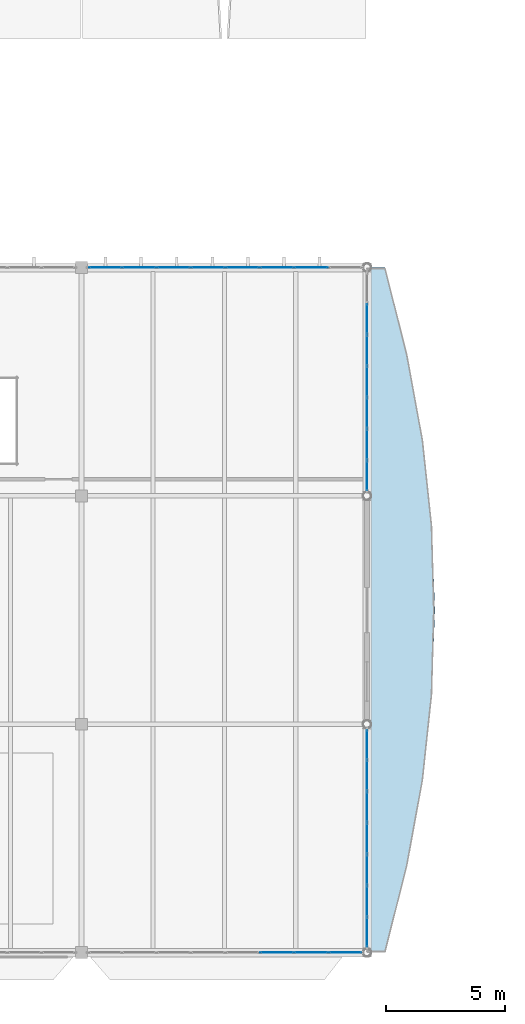
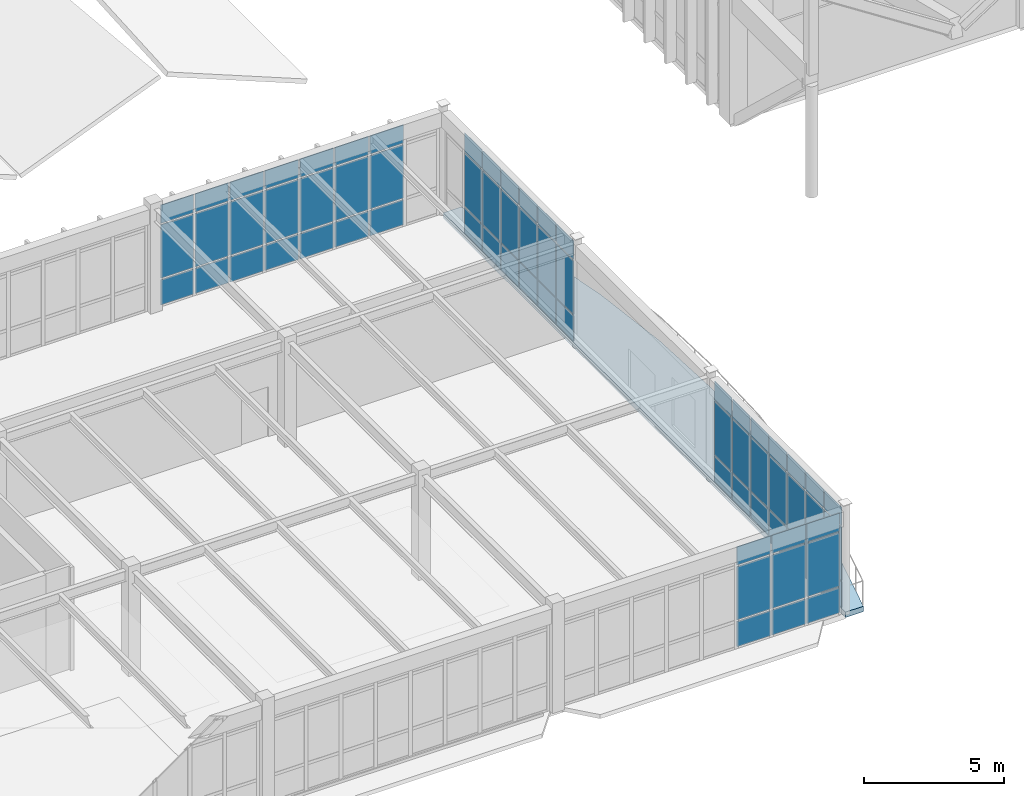
# One storey, part 188 of 236: 69 plates, 1 slab, 4 elements without a shape of their own.
"""IFC4 building model written with IfcOpenShell, lengths in metres."""

from ifc_helpers import new_model, si_unit, direction, frame, origin, origin_2d, place, context, subcontext, project, spatial, polyline, rectangle, outline, extrude, material, layer, layer_set, type_object, element, aggregate, save


model = new_model("IFC4")

# Units and contexts
model_context = context("Model", 3, precision=1e-05, world=origin(), true_north=direction((0.0, 1.0)))
body_context = subcontext(model_context, "Body", "Model", "MODEL_VIEW")
ifc_project = project(units=[si_unit("LENGTHUNIT", "METRE"), si_unit("AREAUNIT", "SQUARE_METRE"), si_unit("VOLUMEUNIT", "CUBIC_METRE"), si_unit("PLANEANGLEUNIT", "RADIAN"), si_unit("MASSUNIT", "GRAM", prefix="KILO")], contexts=[model_context])

# Site, building, storey
site_placement = place(None, origin())
site = spatial("IfcSite", under=ifc_project, at=site_placement, CompositionType="ELEMENT")
building_placement = place(site_placement, origin())
building = spatial("IfcBuilding", under=site, at=building_placement, Name="Pandanus Reach Market Hall", CompositionType="ELEMENT")
storey_placement = place(building_placement, frame((0.0, 0.0, 5.39990234375)))
storey = spatial("IfcBuildingStorey", under=building, at=storey_placement, Name="L01", CompositionType="ELEMENT", Elevation=5.39990234375)

# Curtain wall, plates
ifc_material_1 = material(Name="Bronze anodised aluminium and low-E glass", Category="aluminium")
ifc_layer_1 = layer(ifc_material_1, 0.159912109375, Name="CW-16")
ifc_layer_set_1 = layer_set([ifc_layer_1], Name="Bronze anodised aluminium and low-E glass")
curtain_wall_type_1 = type_object("IfcCurtainWallType", Name="CW-16", PredefinedType="NOTDEFINED", material=ifc_layer_set_1)
curtain_wall_1_placement = place(storey_placement, origin())
curtain_wall_1 = element("IfcCurtainWall", 1, at=curtain_wall_1_placement, inside=storey, type_object=curtain_wall_type_1, Name="Glazed curtain wall CW-16 CW-0056", PredefinedType="NOTDEFINED")
ifc_material_2 = material(Name="Solar-control double glazing", Category="glass")
ifc_layer_2 = layer(ifc_material_2, 0.028076171875, Name="CW-P1")
ifc_layer_set_2 = layer_set([ifc_layer_2], Name="Solar-control double glazing")
plate_type = type_object("IfcPlateType", Name="CW-P1", PredefinedType="CURTAIN_PANEL", material=ifc_layer_set_2)
plate_1_placement = place(storey_placement, frame((32.205810546875, 0.0, 0.065185546875), z_axis=(0.0, 0.0, 1.0), x_axis=(1.0, 0.0, 0.0)))
plate_1 = element("IfcPlate", 2, at=plate_1_placement, type_object=plate_type, Name="CW-16 panel 6.1", PredefinedType="CURTAIN_PANEL", context=body_context, shape_type="SweptSolid", body=[
    extrude(rectangle(XDim=1.381591796875, YDim=0.028076171875, at=origin_2d()), origin(), (0.0, 0.0, 1.0), 1.1025390625),
])
plate_2_placement = place(storey_placement, frame((32.205810546875, 0.0, 1.232666015625), z_axis=(0.0, 0.0, 1.0), x_axis=(1.0, 0.0, 0.0)))
plate_2 = element("IfcPlate", 3, at=plate_2_placement, type_object=plate_type, Name="CW-16 panel 6.2", PredefinedType="CURTAIN_PANEL", context=body_context, shape_type="SweptSolid", body=[
    extrude(rectangle(XDim=1.381591796875, YDim=0.028076171875, at=origin_2d()), origin(), (0.0, 0.0, 1.0), 2.3349609375),
])
plate_3_placement = place(storey_placement, frame((32.205810546875, 0.0, 3.6328125), z_axis=(0.0, 0.0, 1.0), x_axis=(1.0, 0.0, 0.0)))
plate_3 = element("IfcPlate", 4, at=plate_3_placement, type_object=plate_type, Name="CW-16 panel 6.3", PredefinedType="CURTAIN_PANEL", context=body_context, shape_type="SweptSolid", body=[
    extrude(rectangle(XDim=1.381591796875, YDim=0.028076171875, at=origin_2d()), origin(), (0.0, 0.0, 1.0), 0.802490234375),
])
plate_4_placement = place(storey_placement, frame((33.65234375, 0.0, 0.065185546875), z_axis=(0.0, 0.0, 1.0), x_axis=(1.0, 0.0, 0.0)))
plate_4 = element("IfcPlate", 5, at=plate_4_placement, type_object=plate_type, Name="CW-16 panel 7.1", PredefinedType="CURTAIN_PANEL", context=body_context, shape_type="SweptSolid", body=[
    extrude(rectangle(XDim=1.381591796875, YDim=0.028076171875, at=origin_2d()), origin(), (0.0, 0.0, 1.0), 1.1025390625),
])
plate_5_placement = place(storey_placement, frame((33.65234375, 0.0, 1.232666015625), z_axis=(0.0, 0.0, 1.0), x_axis=(1.0, 0.0, 0.0)))
plate_5 = element("IfcPlate", 6, at=plate_5_placement, type_object=plate_type, Name="CW-16 panel 7.2", PredefinedType="CURTAIN_PANEL", context=body_context, shape_type="SweptSolid", body=[
    extrude(rectangle(XDim=1.381591796875, YDim=0.028076171875, at=origin_2d()), origin(), (0.0, 0.0, 1.0), 2.3349609375),
])
plate_6_placement = place(storey_placement, frame((33.65234375, 0.0, 3.6328125), z_axis=(0.0, 0.0, 1.0), x_axis=(1.0, 0.0, 0.0)))
plate_6 = element("IfcPlate", 7, at=plate_6_placement, type_object=plate_type, Name="CW-16 panel 7.3", PredefinedType="CURTAIN_PANEL", context=body_context, shape_type="SweptSolid", body=[
    extrude(rectangle(XDim=1.381591796875, YDim=0.028076171875, at=origin_2d()), origin(), (0.0, 0.0, 1.0), 0.802490234375),
])
plate_7_placement = place(storey_placement, frame((35.082763671875, 0.0, 0.065185546875), z_axis=(0.0, 0.0, 1.0), x_axis=(1.0, 0.0, 0.0)))
plate_7 = element("IfcPlate", 8, at=plate_7_placement, type_object=plate_type, Name="CW-16 panel 8.1", PredefinedType="CURTAIN_PANEL", context=body_context, shape_type="SweptSolid", body=[
    extrude(rectangle(XDim=1.34912109375, YDim=0.028076171875, at=origin_2d()), origin(), (0.0, 0.0, 1.0), 1.1025390625),
])
plate_8_placement = place(storey_placement, frame((35.082763671875, 0.0, 1.232666015625), z_axis=(0.0, 0.0, 1.0), x_axis=(1.0, 0.0, 0.0)))
plate_8 = element("IfcPlate", 9, at=plate_8_placement, type_object=plate_type, Name="CW-16 panel 8.2", PredefinedType="CURTAIN_PANEL", context=body_context, shape_type="SweptSolid", body=[
    extrude(rectangle(XDim=1.34912109375, YDim=0.028076171875, at=origin_2d()), origin(), (0.0, 0.0, 1.0), 2.3349609375),
])
plate_9_placement = place(storey_placement, frame((35.082763671875, 0.0, 3.6328125), z_axis=(0.0, 0.0, 1.0), x_axis=(1.0, 0.0, 0.0)))
plate_9 = element("IfcPlate", 10, at=plate_9_placement, type_object=plate_type, Name="CW-16 panel 8.3", PredefinedType="CURTAIN_PANEL", context=body_context, shape_type="SweptSolid", body=[
    extrude(rectangle(XDim=1.34912109375, YDim=0.028076171875, at=origin_2d()), origin(), (0.0, 0.0, 1.0), 0.802490234375),
])
aggregate(curtain_wall_1, [plate_1, plate_2, plate_3, plate_4, plate_5, plate_6, plate_7, plate_8, plate_9])

ifc_layer_3 = layer(ifc_material_1, 0.159912109375, Name="CW-18")
ifc_layer_set_3 = layer_set([ifc_layer_3], Name="Bronze anodised aluminium and low-E glass")
curtain_wall_type_2 = type_object("IfcCurtainWallType", Name="CW-18", PredefinedType="NOTDEFINED", material=ifc_layer_set_3)
curtain_wall_2_placement = place(storey_placement, origin())
curtain_wall_2 = element("IfcCurtainWall", 11, at=curtain_wall_2_placement, inside=storey, type_object=curtain_wall_type_2, Name="Glazed curtain wall CW-18 CW-0059", PredefinedType="NOTDEFINED")
plate_10_placement = place(storey_placement, frame((24.989501953125, 28.800048828125, 0.065185546875), z_axis=(0.0, 0.0, 1.0), x_axis=(1.0, 0.0, 0.0)))
plate_10 = element("IfcPlate", 12, at=plate_10_placement, type_object=plate_type, Name="CW-18 panel 1.1", PredefinedType="CURTAIN_PANEL", context=body_context, shape_type="SweptSolid", body=[
    extrude(rectangle(XDim=1.34912109375, YDim=0.028076171875, at=origin_2d()), origin(), (0.0, 0.0, 1.0), 1.1025390625),
])
plate_11_placement = place(storey_placement, frame((24.989501953125, 28.800048828125, 1.232666015625), z_axis=(0.0, 0.0, 1.0), x_axis=(1.0, 0.0, 0.0)))
plate_11 = element("IfcPlate", 13, at=plate_11_placement, type_object=plate_type, Name="CW-18 panel 1.2", PredefinedType="CURTAIN_PANEL", context=body_context, shape_type="SweptSolid", body=[
    extrude(rectangle(XDim=1.34912109375, YDim=0.028076171875, at=origin_2d()), origin(), (0.0, 0.0, 1.0), 2.3349609375),
])
plate_12_placement = place(storey_placement, frame((24.989501953125, 28.800048828125, 3.6328125), z_axis=(0.0, 0.0, 1.0), x_axis=(1.0, 0.0, 0.0)))
plate_12 = element("IfcPlate", 14, at=plate_12_placement, type_object=plate_type, Name="CW-18 panel 1.3", PredefinedType="CURTAIN_PANEL", context=body_context, shape_type="SweptSolid", body=[
    extrude(rectangle(XDim=1.34912109375, YDim=0.028076171875, at=origin_2d()), origin(), (0.0, 0.0, 1.0), 0.802490234375),
])
plate_13_placement = place(storey_placement, frame((26.419677734375, 28.800048828125, 0.065185546875), z_axis=(0.0, 0.0, 1.0), x_axis=(1.0, 0.0, 0.0)))
plate_13 = element("IfcPlate", 15, at=plate_13_placement, type_object=plate_type, Name="CW-18 panel 2.1", PredefinedType="CURTAIN_PANEL", context=body_context, shape_type="SweptSolid", body=[
    extrude(rectangle(XDim=1.381591796875, YDim=0.028076171875, at=origin_2d()), origin(), (0.0, 0.0, 1.0), 1.1025390625),
])
plate_14_placement = place(storey_placement, frame((26.419677734375, 28.800048828125, 1.232666015625), z_axis=(0.0, 0.0, 1.0), x_axis=(1.0, 0.0, 0.0)))
plate_14 = element("IfcPlate", 16, at=plate_14_placement, type_object=plate_type, Name="CW-18 panel 2.2", PredefinedType="CURTAIN_PANEL", context=body_context, shape_type="SweptSolid", body=[
    extrude(rectangle(XDim=1.381591796875, YDim=0.028076171875, at=origin_2d()), origin(), (0.0, 0.0, 1.0), 2.3349609375),
])
plate_15_placement = place(storey_placement, frame((26.419677734375, 28.800048828125, 3.6328125), z_axis=(0.0, 0.0, 1.0), x_axis=(1.0, 0.0, 0.0)))
plate_15 = element("IfcPlate", 17, at=plate_15_placement, type_object=plate_type, Name="CW-18 panel 2.3", PredefinedType="CURTAIN_PANEL", context=body_context, shape_type="SweptSolid", body=[
    extrude(rectangle(XDim=1.381591796875, YDim=0.028076171875, at=origin_2d()), origin(), (0.0, 0.0, 1.0), 0.802490234375),
])
plate_16_placement = place(storey_placement, frame((27.8662109375, 28.800048828125, 0.065185546875), z_axis=(0.0, 0.0, 1.0), x_axis=(1.0, 0.0, 0.0)))
plate_16 = element("IfcPlate", 18, at=plate_16_placement, type_object=plate_type, Name="CW-18 panel 3.1", PredefinedType="CURTAIN_PANEL", context=body_context, shape_type="SweptSolid", body=[
    extrude(rectangle(XDim=1.381591796875, YDim=0.028076171875, at=origin_2d()), origin(), (0.0, 0.0, 1.0), 1.1025390625),
])
plate_17_placement = place(storey_placement, frame((27.8662109375, 28.800048828125, 1.232666015625), z_axis=(0.0, 0.0, 1.0), x_axis=(1.0, 0.0, 0.0)))
plate_17 = element("IfcPlate", 19, at=plate_17_placement, type_object=plate_type, Name="CW-18 panel 3.2", PredefinedType="CURTAIN_PANEL", context=body_context, shape_type="SweptSolid", body=[
    extrude(rectangle(XDim=1.381591796875, YDim=0.028076171875, at=origin_2d()), origin(), (0.0, 0.0, 1.0), 2.3349609375),
])
plate_18_placement = place(storey_placement, frame((27.8662109375, 28.800048828125, 3.6328125), z_axis=(0.0, 0.0, 1.0), x_axis=(1.0, 0.0, 0.0)))
plate_18 = element("IfcPlate", 20, at=plate_18_placement, type_object=plate_type, Name="CW-18 panel 3.3", PredefinedType="CURTAIN_PANEL", context=body_context, shape_type="SweptSolid", body=[
    extrude(rectangle(XDim=1.381591796875, YDim=0.028076171875, at=origin_2d()), origin(), (0.0, 0.0, 1.0), 0.802490234375),
])
plate_19_placement = place(storey_placement, frame((29.312744140625, 28.800048828125, 0.065185546875), z_axis=(0.0, 0.0, 1.0), x_axis=(1.0, 0.0, 0.0)))
plate_19 = element("IfcPlate", 21, at=plate_19_placement, type_object=plate_type, Name="CW-18 panel 4.1", PredefinedType="CURTAIN_PANEL", context=body_context, shape_type="SweptSolid", body=[
    extrude(rectangle(XDim=1.381591796875, YDim=0.028076171875, at=origin_2d()), origin(), (0.0, 0.0, 1.0), 1.1025390625),
])
plate_20_placement = place(storey_placement, frame((29.312744140625, 28.800048828125, 1.232666015625), z_axis=(0.0, 0.0, 1.0), x_axis=(1.0, 0.0, 0.0)))
plate_20 = element("IfcPlate", 22, at=plate_20_placement, type_object=plate_type, Name="CW-18 panel 4.2", PredefinedType="CURTAIN_PANEL", context=body_context, shape_type="SweptSolid", body=[
    extrude(rectangle(XDim=1.381591796875, YDim=0.028076171875, at=origin_2d()), origin(), (0.0, 0.0, 1.0), 2.3349609375),
])
plate_21_placement = place(storey_placement, frame((29.312744140625, 28.800048828125, 3.6328125), z_axis=(0.0, 0.0, 1.0), x_axis=(1.0, 0.0, 0.0)))
plate_21 = element("IfcPlate", 23, at=plate_21_placement, type_object=plate_type, Name="CW-18 panel 4.3", PredefinedType="CURTAIN_PANEL", context=body_context, shape_type="SweptSolid", body=[
    extrude(rectangle(XDim=1.381591796875, YDim=0.028076171875, at=origin_2d()), origin(), (0.0, 0.0, 1.0), 0.802490234375),
])
plate_22_placement = place(storey_placement, frame((30.75927734375, 28.800048828125, 0.065185546875), z_axis=(0.0, 0.0, 1.0), x_axis=(1.0, 0.0, 0.0)))
plate_22 = element("IfcPlate", 24, at=plate_22_placement, type_object=plate_type, Name="CW-18 panel 5.1", PredefinedType="CURTAIN_PANEL", context=body_context, shape_type="SweptSolid", body=[
    extrude(rectangle(XDim=1.381591796875, YDim=0.028076171875, at=origin_2d()), origin(), (0.0, 0.0, 1.0), 1.1025390625),
])
plate_23_placement = place(storey_placement, frame((30.75927734375, 28.800048828125, 1.232666015625), z_axis=(0.0, 0.0, 1.0), x_axis=(1.0, 0.0, 0.0)))
plate_23 = element("IfcPlate", 25, at=plate_23_placement, type_object=plate_type, Name="CW-18 panel 5.2", PredefinedType="CURTAIN_PANEL", context=body_context, shape_type="SweptSolid", body=[
    extrude(rectangle(XDim=1.381591796875, YDim=0.028076171875, at=origin_2d()), origin(), (0.0, 0.0, 1.0), 2.3349609375),
])
plate_24_placement = place(storey_placement, frame((30.75927734375, 28.800048828125, 3.6328125), z_axis=(0.0, 0.0, 1.0), x_axis=(1.0, 0.0, 0.0)))
plate_24 = element("IfcPlate", 26, at=plate_24_placement, type_object=plate_type, Name="CW-18 panel 5.3", PredefinedType="CURTAIN_PANEL", context=body_context, shape_type="SweptSolid", body=[
    extrude(rectangle(XDim=1.381591796875, YDim=0.028076171875, at=origin_2d()), origin(), (0.0, 0.0, 1.0), 0.802490234375),
])
plate_25_placement = place(storey_placement, frame((32.205810546875, 28.800048828125, 0.065185546875), z_axis=(0.0, 0.0, 1.0), x_axis=(1.0, 0.0, 0.0)))
plate_25 = element("IfcPlate", 27, at=plate_25_placement, type_object=plate_type, Name="CW-18 panel 6.1", PredefinedType="CURTAIN_PANEL", context=body_context, shape_type="SweptSolid", body=[
    extrude(rectangle(XDim=1.381591796875, YDim=0.028076171875, at=origin_2d()), origin(), (0.0, 0.0, 1.0), 1.1025390625),
])
plate_26_placement = place(storey_placement, frame((32.205810546875, 28.800048828125, 1.232666015625), z_axis=(0.0, 0.0, 1.0), x_axis=(1.0, 0.0, 0.0)))
plate_26 = element("IfcPlate", 28, at=plate_26_placement, type_object=plate_type, Name="CW-18 panel 6.2", PredefinedType="CURTAIN_PANEL", context=body_context, shape_type="SweptSolid", body=[
    extrude(rectangle(XDim=1.381591796875, YDim=0.028076171875, at=origin_2d()), origin(), (0.0, 0.0, 1.0), 2.3349609375),
])
plate_27_placement = place(storey_placement, frame((32.205810546875, 28.800048828125, 3.6328125), z_axis=(0.0, 0.0, 1.0), x_axis=(1.0, 0.0, 0.0)))
plate_27 = element("IfcPlate", 29, at=plate_27_placement, type_object=plate_type, Name="CW-18 panel 6.3", PredefinedType="CURTAIN_PANEL", context=body_context, shape_type="SweptSolid", body=[
    extrude(rectangle(XDim=1.381591796875, YDim=0.028076171875, at=origin_2d()), origin(), (0.0, 0.0, 1.0), 0.802490234375),
])
plate_28_placement = place(storey_placement, frame((33.65234375, 28.800048828125, 0.065185546875), z_axis=(0.0, 0.0, 1.0), x_axis=(1.0, 0.0, 0.0)))
plate_28 = element("IfcPlate", 30, at=plate_28_placement, type_object=plate_type, Name="CW-18 panel 7.1", PredefinedType="CURTAIN_PANEL", context=body_context, shape_type="SweptSolid", body=[
    extrude(rectangle(XDim=1.381591796875, YDim=0.028076171875, at=origin_2d()), origin(), (0.0, 0.0, 1.0), 1.1025390625),
])
plate_29_placement = place(storey_placement, frame((33.65234375, 28.800048828125, 1.232666015625), z_axis=(0.0, 0.0, 1.0), x_axis=(1.0, 0.0, 0.0)))
plate_29 = element("IfcPlate", 31, at=plate_29_placement, type_object=plate_type, Name="CW-18 panel 7.2", PredefinedType="CURTAIN_PANEL", context=body_context, shape_type="SweptSolid", body=[
    extrude(rectangle(XDim=1.381591796875, YDim=0.028076171875, at=origin_2d()), origin(), (0.0, 0.0, 1.0), 2.3349609375),
])
plate_30_placement = place(storey_placement, frame((33.65234375, 28.800048828125, 3.6328125), z_axis=(0.0, 0.0, 1.0), x_axis=(1.0, 0.0, 0.0)))
plate_30 = element("IfcPlate", 32, at=plate_30_placement, type_object=plate_type, Name="CW-18 panel 7.3", PredefinedType="CURTAIN_PANEL", context=body_context, shape_type="SweptSolid", body=[
    extrude(rectangle(XDim=1.381591796875, YDim=0.028076171875, at=origin_2d()), origin(), (0.0, 0.0, 1.0), 0.802490234375),
])
aggregate(curtain_wall_2, [plate_10, plate_11, plate_12, plate_13, plate_14, plate_15, plate_16, plate_17, plate_18, plate_19, plate_20, plate_21, plate_22, plate_23, plate_24, plate_25, plate_26, plate_27, plate_28, plate_29, plate_30])

ifc_layer_4 = layer(ifc_material_1, 0.159912109375, Name="CW-20")
ifc_layer_set_4 = layer_set([ifc_layer_4], Name="Bronze anodised aluminium and low-E glass")
curtain_wall_type_3 = type_object("IfcCurtainWallType", Name="CW-20", PredefinedType="NOTDEFINED", material=ifc_layer_set_4)
curtain_wall_3_placement = place(storey_placement, origin())
curtain_wall_3 = element("IfcCurtainWall", 33, at=curtain_wall_3_placement, inside=storey, type_object=curtain_wall_type_3, Name="Glazed curtain wall CW-20 CW-0061", PredefinedType="NOTDEFINED")
plate_31_placement = place(storey_placement, frame((36.0, 0.854248046875, 0.065185546875), z_axis=(0.0, 0.0, 1.0), x_axis=(0.0, 1.0, 0.0)))
plate_31 = element("IfcPlate", 34, at=plate_31_placement, type_object=plate_type, Name="CW-20 panel 1.1", PredefinedType="CURTAIN_PANEL", context=body_context, shape_type="SweptSolid", body=[
    extrude(rectangle(XDim=1.22314453125, YDim=0.028076171875, at=origin_2d()), origin(), (0.0, 0.0, 1.0), 1.1025390625),
])
plate_32_placement = place(storey_placement, frame((36.0, 0.854248046875, 1.232666015625), z_axis=(0.0, 0.0, 1.0), x_axis=(0.0, 1.0, 0.0)))
plate_32 = element("IfcPlate", 35, at=plate_32_placement, type_object=plate_type, Name="CW-20 panel 1.2", PredefinedType="CURTAIN_PANEL", context=body_context, shape_type="SweptSolid", body=[
    extrude(rectangle(XDim=1.22314453125, YDim=0.028076171875, at=origin_2d()), origin(), (0.0, 0.0, 1.0), 2.3349609375),
])
plate_33_placement = place(storey_placement, frame((36.0, 0.854248046875, 3.6328125), z_axis=(0.0, 0.0, 1.0), x_axis=(0.0, 1.0, 0.0)))
plate_33 = element("IfcPlate", 36, at=plate_33_placement, type_object=plate_type, Name="CW-20 panel 1.3", PredefinedType="CURTAIN_PANEL", context=body_context, shape_type="SweptSolid", body=[
    extrude(rectangle(XDim=1.22314453125, YDim=0.028076171875, at=origin_2d()), origin(), (0.0, 0.0, 1.0), 0.802490234375),
])
plate_34_placement = place(storey_placement, frame((36.0, 2.15869140625, 0.065185546875), z_axis=(0.0, 0.0, 1.0), x_axis=(0.0, 1.0, 0.0)))
plate_34 = element("IfcPlate", 37, at=plate_34_placement, type_object=plate_type, Name="CW-20 panel 2.1", PredefinedType="CURTAIN_PANEL", context=body_context, shape_type="SweptSolid", body=[
    extrude(rectangle(XDim=1.255615234375, YDim=0.028076171875, at=origin_2d()), origin(), (0.0, 0.0, 1.0), 1.1025390625),
])
plate_35_placement = place(storey_placement, frame((36.0, 2.15869140625, 1.232666015625), z_axis=(0.0, 0.0, 1.0), x_axis=(0.0, 1.0, 0.0)))
plate_35 = element("IfcPlate", 38, at=plate_35_placement, type_object=plate_type, Name="CW-20 panel 2.2", PredefinedType="CURTAIN_PANEL", context=body_context, shape_type="SweptSolid", body=[
    extrude(rectangle(XDim=1.255615234375, YDim=0.028076171875, at=origin_2d()), origin(), (0.0, 0.0, 1.0), 2.3349609375),
])
plate_36_placement = place(storey_placement, frame((36.0, 2.15869140625, 3.6328125), z_axis=(0.0, 0.0, 1.0), x_axis=(0.0, 1.0, 0.0)))
plate_36 = element("IfcPlate", 39, at=plate_36_placement, type_object=plate_type, Name="CW-20 panel 2.3", PredefinedType="CURTAIN_PANEL", context=body_context, shape_type="SweptSolid", body=[
    extrude(rectangle(XDim=1.255615234375, YDim=0.028076171875, at=origin_2d()), origin(), (0.0, 0.0, 1.0), 0.802490234375),
])
plate_37_placement = place(storey_placement, frame((36.0, 3.4794921875, 0.065185546875), z_axis=(0.0, 0.0, 1.0), x_axis=(0.0, 1.0, 0.0)))
plate_37 = element("IfcPlate", 40, at=plate_37_placement, type_object=plate_type, Name="CW-20 panel 3.1", PredefinedType="CURTAIN_PANEL", context=body_context, shape_type="SweptSolid", body=[
    extrude(rectangle(XDim=1.255615234375, YDim=0.028076171875, at=origin_2d()), origin(), (0.0, 0.0, 1.0), 1.1025390625),
])
plate_38_placement = place(storey_placement, frame((36.0, 3.4794921875, 1.232666015625), z_axis=(0.0, 0.0, 1.0), x_axis=(0.0, 1.0, 0.0)))
plate_38 = element("IfcPlate", 41, at=plate_38_placement, type_object=plate_type, Name="CW-20 panel 3.2", PredefinedType="CURTAIN_PANEL", context=body_context, shape_type="SweptSolid", body=[
    extrude(rectangle(XDim=1.255615234375, YDim=0.028076171875, at=origin_2d()), origin(), (0.0, 0.0, 1.0), 2.3349609375),
])
plate_39_placement = place(storey_placement, frame((36.0, 3.4794921875, 3.6328125), z_axis=(0.0, 0.0, 1.0), x_axis=(0.0, 1.0, 0.0)))
plate_39 = element("IfcPlate", 42, at=plate_39_placement, type_object=plate_type, Name="CW-20 panel 3.3", PredefinedType="CURTAIN_PANEL", context=body_context, shape_type="SweptSolid", body=[
    extrude(rectangle(XDim=1.255615234375, YDim=0.028076171875, at=origin_2d()), origin(), (0.0, 0.0, 1.0), 0.802490234375),
])
plate_40_placement = place(storey_placement, frame((36.0, 4.800048828125, 0.065185546875), z_axis=(0.0, 0.0, 1.0), x_axis=(0.0, 1.0, 0.0)))
plate_40 = element("IfcPlate", 43, at=plate_40_placement, type_object=plate_type, Name="CW-20 panel 4.1", PredefinedType="CURTAIN_PANEL", context=body_context, shape_type="SweptSolid", body=[
    extrude(rectangle(XDim=1.255615234375, YDim=0.028076171875, at=origin_2d()), origin(), (0.0, 0.0, 1.0), 1.1025390625),
])
plate_41_placement = place(storey_placement, frame((36.0, 4.800048828125, 1.232666015625), z_axis=(0.0, 0.0, 1.0), x_axis=(0.0, 1.0, 0.0)))
plate_41 = element("IfcPlate", 44, at=plate_41_placement, type_object=plate_type, Name="CW-20 panel 4.2", PredefinedType="CURTAIN_PANEL", context=body_context, shape_type="SweptSolid", body=[
    extrude(rectangle(XDim=1.255615234375, YDim=0.028076171875, at=origin_2d()), origin(), (0.0, 0.0, 1.0), 2.3349609375),
])
plate_42_placement = place(storey_placement, frame((36.0, 4.800048828125, 3.6328125), z_axis=(0.0, 0.0, 1.0), x_axis=(0.0, 1.0, 0.0)))
plate_42 = element("IfcPlate", 45, at=plate_42_placement, type_object=plate_type, Name="CW-20 panel 4.3", PredefinedType="CURTAIN_PANEL", context=body_context, shape_type="SweptSolid", body=[
    extrude(rectangle(XDim=1.255615234375, YDim=0.028076171875, at=origin_2d()), origin(), (0.0, 0.0, 1.0), 0.802490234375),
])
plate_43_placement = place(storey_placement, frame((36.0, 6.12060546875, 0.065185546875), z_axis=(0.0, 0.0, 1.0), x_axis=(0.0, 1.0, 0.0)))
plate_43 = element("IfcPlate", 46, at=plate_43_placement, type_object=plate_type, Name="CW-20 panel 5.1", PredefinedType="CURTAIN_PANEL", context=body_context, shape_type="SweptSolid", body=[
    extrude(rectangle(XDim=1.255615234375, YDim=0.028076171875, at=origin_2d()), origin(), (0.0, 0.0, 1.0), 1.1025390625),
])
plate_44_placement = place(storey_placement, frame((36.0, 6.12060546875, 1.232666015625), z_axis=(0.0, 0.0, 1.0), x_axis=(0.0, 1.0, 0.0)))
plate_44 = element("IfcPlate", 47, at=plate_44_placement, type_object=plate_type, Name="CW-20 panel 5.2", PredefinedType="CURTAIN_PANEL", context=body_context, shape_type="SweptSolid", body=[
    extrude(rectangle(XDim=1.255615234375, YDim=0.028076171875, at=origin_2d()), origin(), (0.0, 0.0, 1.0), 2.3349609375),
])
plate_45_placement = place(storey_placement, frame((36.0, 6.12060546875, 3.6328125), z_axis=(0.0, 0.0, 1.0), x_axis=(0.0, 1.0, 0.0)))
plate_45 = element("IfcPlate", 48, at=plate_45_placement, type_object=plate_type, Name="CW-20 panel 5.3", PredefinedType="CURTAIN_PANEL", context=body_context, shape_type="SweptSolid", body=[
    extrude(rectangle(XDim=1.255615234375, YDim=0.028076171875, at=origin_2d()), origin(), (0.0, 0.0, 1.0), 0.802490234375),
])
plate_46_placement = place(storey_placement, frame((36.0, 7.441162109375, 0.065185546875), z_axis=(0.0, 0.0, 1.0), x_axis=(0.0, 1.0, 0.0)))
plate_46 = element("IfcPlate", 49, at=plate_46_placement, type_object=plate_type, Name="CW-20 panel 6.1", PredefinedType="CURTAIN_PANEL", context=body_context, shape_type="SweptSolid", body=[
    extrude(rectangle(XDim=1.255615234375, YDim=0.028076171875, at=origin_2d()), origin(), (0.0, 0.0, 1.0), 1.1025390625),
])
plate_47_placement = place(storey_placement, frame((36.0, 7.441162109375, 1.232666015625), z_axis=(0.0, 0.0, 1.0), x_axis=(0.0, 1.0, 0.0)))
plate_47 = element("IfcPlate", 50, at=plate_47_placement, type_object=plate_type, Name="CW-20 panel 6.2", PredefinedType="CURTAIN_PANEL", context=body_context, shape_type="SweptSolid", body=[
    extrude(rectangle(XDim=1.255615234375, YDim=0.028076171875, at=origin_2d()), origin(), (0.0, 0.0, 1.0), 2.3349609375),
])
plate_48_placement = place(storey_placement, frame((36.0, 7.441162109375, 3.6328125), z_axis=(0.0, 0.0, 1.0), x_axis=(0.0, 1.0, 0.0)))
plate_48 = element("IfcPlate", 51, at=plate_48_placement, type_object=plate_type, Name="CW-20 panel 6.3", PredefinedType="CURTAIN_PANEL", context=body_context, shape_type="SweptSolid", body=[
    extrude(rectangle(XDim=1.255615234375, YDim=0.028076171875, at=origin_2d()), origin(), (0.0, 0.0, 1.0), 0.802490234375),
])
plate_49_placement = place(storey_placement, frame((36.0, 8.74560546875, 0.065185546875), z_axis=(0.0, 0.0, 1.0), x_axis=(0.0, 1.0, 0.0)))
plate_49 = element("IfcPlate", 52, at=plate_49_placement, type_object=plate_type, Name="CW-20 panel 7.1", PredefinedType="CURTAIN_PANEL", context=body_context, shape_type="SweptSolid", body=[
    extrude(rectangle(XDim=1.22314453125, YDim=0.028076171875, at=origin_2d()), origin(), (0.0, 0.0, 1.0), 1.1025390625),
])
plate_50_placement = place(storey_placement, frame((36.0, 8.74560546875, 1.232666015625), z_axis=(0.0, 0.0, 1.0), x_axis=(0.0, 1.0, 0.0)))
plate_50 = element("IfcPlate", 53, at=plate_50_placement, type_object=plate_type, Name="CW-20 panel 7.2", PredefinedType="CURTAIN_PANEL", context=body_context, shape_type="SweptSolid", body=[
    extrude(rectangle(XDim=1.22314453125, YDim=0.028076171875, at=origin_2d()), origin(), (0.0, 0.0, 1.0), 2.3349609375),
])
plate_51_placement = place(storey_placement, frame((36.0, 8.74560546875, 3.6328125), z_axis=(0.0, 0.0, 1.0), x_axis=(0.0, 1.0, 0.0)))
plate_51 = element("IfcPlate", 54, at=plate_51_placement, type_object=plate_type, Name="CW-20 panel 7.3", PredefinedType="CURTAIN_PANEL", context=body_context, shape_type="SweptSolid", body=[
    extrude(rectangle(XDim=1.22314453125, YDim=0.028076171875, at=origin_2d()), origin(), (0.0, 0.0, 1.0), 0.802490234375),
])
aggregate(curtain_wall_3, [plate_31, plate_32, plate_33, plate_34, plate_35, plate_36, plate_37, plate_38, plate_39, plate_40, plate_41, plate_42, plate_43, plate_44, plate_45, plate_46, plate_47, plate_48, plate_49, plate_50, plate_51])

curtain_wall_4_placement = place(storey_placement, origin())
curtain_wall_4 = element("IfcCurtainWall", 55, at=curtain_wall_4_placement, inside=storey, type_object=curtain_wall_type_3, Name="Glazed curtain wall CW-20 CW-0062", PredefinedType="NOTDEFINED")
plate_52_placement = place(storey_placement, frame((36.0, 20.054443359375, 0.065185546875), z_axis=(0.0, 0.0, 1.0), x_axis=(0.0, 1.0, 0.0)))
plate_52 = element("IfcPlate", 56, at=plate_52_placement, type_object=plate_type, Name="CW-20 panel 1.1", PredefinedType="CURTAIN_PANEL", context=body_context, shape_type="SweptSolid", body=[
    extrude(rectangle(XDim=1.22314453125, YDim=0.028076171875, at=origin_2d()), origin(), (0.0, 0.0, 1.0), 1.1025390625),
])
plate_53_placement = place(storey_placement, frame((36.0, 20.054443359375, 1.232666015625), z_axis=(0.0, 0.0, 1.0), x_axis=(0.0, 1.0, 0.0)))
plate_53 = element("IfcPlate", 57, at=plate_53_placement, type_object=plate_type, Name="CW-20 panel 1.2", PredefinedType="CURTAIN_PANEL", context=body_context, shape_type="SweptSolid", body=[
    extrude(rectangle(XDim=1.22314453125, YDim=0.028076171875, at=origin_2d()), origin(), (0.0, 0.0, 1.0), 2.3349609375),
])
plate_54_placement = place(storey_placement, frame((36.0, 20.054443359375, 3.6328125), z_axis=(0.0, 0.0, 1.0), x_axis=(0.0, 1.0, 0.0)))
plate_54 = element("IfcPlate", 58, at=plate_54_placement, type_object=plate_type, Name="CW-20 panel 1.3", PredefinedType="CURTAIN_PANEL", context=body_context, shape_type="SweptSolid", body=[
    extrude(rectangle(XDim=1.22314453125, YDim=0.028076171875, at=origin_2d()), origin(), (0.0, 0.0, 1.0), 0.802490234375),
])
plate_55_placement = place(storey_placement, frame((36.0, 21.358642578125, 0.065185546875), z_axis=(0.0, 0.0, 1.0), x_axis=(0.0, 1.0, 0.0)))
plate_55 = element("IfcPlate", 59, at=plate_55_placement, type_object=plate_type, Name="CW-20 panel 2.1", PredefinedType="CURTAIN_PANEL", context=body_context, shape_type="SweptSolid", body=[
    extrude(rectangle(XDim=1.255615234375, YDim=0.028076171875, at=origin_2d()), origin(), (0.0, 0.0, 1.0), 1.1025390625),
])
plate_56_placement = place(storey_placement, frame((36.0, 21.358642578125, 1.232666015625), z_axis=(0.0, 0.0, 1.0), x_axis=(0.0, 1.0, 0.0)))
plate_56 = element("IfcPlate", 60, at=plate_56_placement, type_object=plate_type, Name="CW-20 panel 2.2", PredefinedType="CURTAIN_PANEL", context=body_context, shape_type="SweptSolid", body=[
    extrude(rectangle(XDim=1.255615234375, YDim=0.028076171875, at=origin_2d()), origin(), (0.0, 0.0, 1.0), 2.3349609375),
])
plate_57_placement = place(storey_placement, frame((36.0, 21.358642578125, 3.6328125), z_axis=(0.0, 0.0, 1.0), x_axis=(0.0, 1.0, 0.0)))
plate_57 = element("IfcPlate", 61, at=plate_57_placement, type_object=plate_type, Name="CW-20 panel 2.3", PredefinedType="CURTAIN_PANEL", context=body_context, shape_type="SweptSolid", body=[
    extrude(rectangle(XDim=1.255615234375, YDim=0.028076171875, at=origin_2d()), origin(), (0.0, 0.0, 1.0), 0.802490234375),
])
plate_58_placement = place(storey_placement, frame((36.0, 22.679443359375, 0.065185546875), z_axis=(0.0, 0.0, 1.0), x_axis=(0.0, 1.0, 0.0)))
plate_58 = element("IfcPlate", 62, at=plate_58_placement, type_object=plate_type, Name="CW-20 panel 3.1", PredefinedType="CURTAIN_PANEL", context=body_context, shape_type="SweptSolid", body=[
    extrude(rectangle(XDim=1.255615234375, YDim=0.028076171875, at=origin_2d()), origin(), (0.0, 0.0, 1.0), 1.1025390625),
])
plate_59_placement = place(storey_placement, frame((36.0, 22.679443359375, 1.232666015625), z_axis=(0.0, 0.0, 1.0), x_axis=(0.0, 1.0, 0.0)))
plate_59 = element("IfcPlate", 63, at=plate_59_placement, type_object=plate_type, Name="CW-20 panel 3.2", PredefinedType="CURTAIN_PANEL", context=body_context, shape_type="SweptSolid", body=[
    extrude(rectangle(XDim=1.255615234375, YDim=0.028076171875, at=origin_2d()), origin(), (0.0, 0.0, 1.0), 2.3349609375),
])
plate_60_placement = place(storey_placement, frame((36.0, 22.679443359375, 3.6328125), z_axis=(0.0, 0.0, 1.0), x_axis=(0.0, 1.0, 0.0)))
plate_60 = element("IfcPlate", 64, at=plate_60_placement, type_object=plate_type, Name="CW-20 panel 3.3", PredefinedType="CURTAIN_PANEL", context=body_context, shape_type="SweptSolid", body=[
    extrude(rectangle(XDim=1.255615234375, YDim=0.028076171875, at=origin_2d()), origin(), (0.0, 0.0, 1.0), 0.802490234375),
])
plate_61_placement = place(storey_placement, frame((36.0, 24.0, 0.065185546875), z_axis=(0.0, 0.0, 1.0), x_axis=(0.0, 1.0, 0.0)))
plate_61 = element("IfcPlate", 65, at=plate_61_placement, type_object=plate_type, Name="CW-20 panel 4.1", PredefinedType="CURTAIN_PANEL", context=body_context, shape_type="SweptSolid", body=[
    extrude(rectangle(XDim=1.255615234375, YDim=0.028076171875, at=origin_2d()), origin(), (0.0, 0.0, 1.0), 1.1025390625),
])
plate_62_placement = place(storey_placement, frame((36.0, 24.0, 1.232666015625), z_axis=(0.0, 0.0, 1.0), x_axis=(0.0, 1.0, 0.0)))
plate_62 = element("IfcPlate", 66, at=plate_62_placement, type_object=plate_type, Name="CW-20 panel 4.2", PredefinedType="CURTAIN_PANEL", context=body_context, shape_type="SweptSolid", body=[
    extrude(rectangle(XDim=1.255615234375, YDim=0.028076171875, at=origin_2d()), origin(), (0.0, 0.0, 1.0), 2.3349609375),
])
plate_63_placement = place(storey_placement, frame((36.0, 24.0, 3.6328125), z_axis=(0.0, 0.0, 1.0), x_axis=(0.0, 1.0, 0.0)))
plate_63 = element("IfcPlate", 67, at=plate_63_placement, type_object=plate_type, Name="CW-20 panel 4.3", PredefinedType="CURTAIN_PANEL", context=body_context, shape_type="SweptSolid", body=[
    extrude(rectangle(XDim=1.255615234375, YDim=0.028076171875, at=origin_2d()), origin(), (0.0, 0.0, 1.0), 0.802490234375),
])
plate_64_placement = place(storey_placement, frame((36.0, 25.320556640625, 0.065185546875), z_axis=(0.0, 0.0, 1.0), x_axis=(0.0, 1.0, 0.0)))
plate_64 = element("IfcPlate", 68, at=plate_64_placement, type_object=plate_type, Name="CW-20 panel 5.1", PredefinedType="CURTAIN_PANEL", context=body_context, shape_type="SweptSolid", body=[
    extrude(rectangle(XDim=1.255615234375, YDim=0.028076171875, at=origin_2d()), origin(), (0.0, 0.0, 1.0), 1.1025390625),
])
plate_65_placement = place(storey_placement, frame((36.0, 25.320556640625, 1.232666015625), z_axis=(0.0, 0.0, 1.0), x_axis=(0.0, 1.0, 0.0)))
plate_65 = element("IfcPlate", 69, at=plate_65_placement, type_object=plate_type, Name="CW-20 panel 5.2", PredefinedType="CURTAIN_PANEL", context=body_context, shape_type="SweptSolid", body=[
    extrude(rectangle(XDim=1.255615234375, YDim=0.028076171875, at=origin_2d()), origin(), (0.0, 0.0, 1.0), 2.3349609375),
])
plate_66_placement = place(storey_placement, frame((36.0, 25.320556640625, 3.6328125), z_axis=(0.0, 0.0, 1.0), x_axis=(0.0, 1.0, 0.0)))
plate_66 = element("IfcPlate", 70, at=plate_66_placement, type_object=plate_type, Name="CW-20 panel 5.3", PredefinedType="CURTAIN_PANEL", context=body_context, shape_type="SweptSolid", body=[
    extrude(rectangle(XDim=1.255615234375, YDim=0.028076171875, at=origin_2d()), origin(), (0.0, 0.0, 1.0), 0.802490234375),
])
plate_67_placement = place(storey_placement, frame((36.0, 26.641357421875, 0.065185546875), z_axis=(0.0, 0.0, 1.0), x_axis=(0.0, 1.0, 0.0)))
plate_67 = element("IfcPlate", 71, at=plate_67_placement, type_object=plate_type, Name="CW-20 panel 6.1", PredefinedType="CURTAIN_PANEL", context=body_context, shape_type="SweptSolid", body=[
    extrude(rectangle(XDim=1.255615234375, YDim=0.028076171875, at=origin_2d()), origin(), (0.0, 0.0, 1.0), 1.1025390625),
])
plate_68_placement = place(storey_placement, frame((36.0, 26.641357421875, 1.232666015625), z_axis=(0.0, 0.0, 1.0), x_axis=(0.0, 1.0, 0.0)))
plate_68 = element("IfcPlate", 72, at=plate_68_placement, type_object=plate_type, Name="CW-20 panel 6.2", PredefinedType="CURTAIN_PANEL", context=body_context, shape_type="SweptSolid", body=[
    extrude(rectangle(XDim=1.255615234375, YDim=0.028076171875, at=origin_2d()), origin(), (0.0, 0.0, 1.0), 2.3349609375),
])
plate_69_placement = place(storey_placement, frame((36.0, 26.641357421875, 3.6328125), z_axis=(0.0, 0.0, 1.0), x_axis=(0.0, 1.0, 0.0)))
plate_69 = element("IfcPlate", 73, at=plate_69_placement, type_object=plate_type, Name="CW-20 panel 6.3", PredefinedType="CURTAIN_PANEL", context=body_context, shape_type="SweptSolid", body=[
    extrude(rectangle(XDim=1.255615234375, YDim=0.028076171875, at=origin_2d()), origin(), (0.0, 0.0, 1.0), 0.802490234375),
])
aggregate(curtain_wall_4, [plate_52, plate_53, plate_54, plate_55, plate_56, plate_57, plate_58, plate_59, plate_60, plate_61, plate_62, plate_63, plate_64, plate_65, plate_66, plate_67, plate_68, plate_69])

# Slab
ifc_material_3 = material(Name="Concrete N40 (40 MPa)", Category="concrete")
ifc_layer_5 = layer(ifc_material_3, 0.235107421875, Name="SL-EXT-VER")
ifc_layer_set_5 = layer_set([ifc_layer_5], Name="Concrete N40 (40 MPa)")
slab_type = type_object("IfcSlabType", Name="SL-EXT-VER", PredefinedType="FLOOR", material=ifc_layer_set_5)
slab_placement = place(storey_placement, frame((0.0, 0.0, -0.23486328125)))
element("IfcSlab", 74, at=slab_placement, inside=storey, type_object=slab_type, Name="Park-Edge Curved Dining Verandah L01", PredefinedType="FLOOR", context=body_context, shape_type="SweptSolid", body=[
    extrude(outline(polyline([(36.0, 0.0), (36.75, 0.0), (37.662109375, 3.60009765625), (38.325927734375, 7.199951171875), (38.718994140625, 10.800048828125), (38.85009765625, 14.39990234375), (38.718994140625, 18.0), (38.325927734375, 21.60009765625), (37.662109375, 25.199951171875), (36.75, 28.800048828125), (36.0, 28.800048828125), (36.0, 0.0)])), origin(), (0.0, 0.0, 1.0), 0.23486328125),
])

save(model, "model.ifc")
